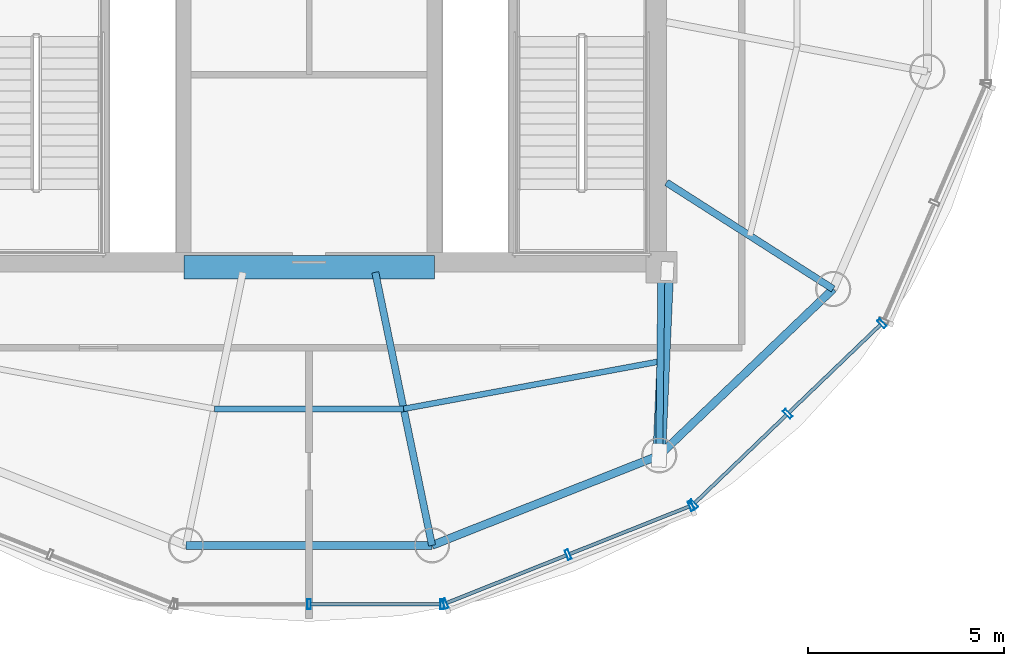
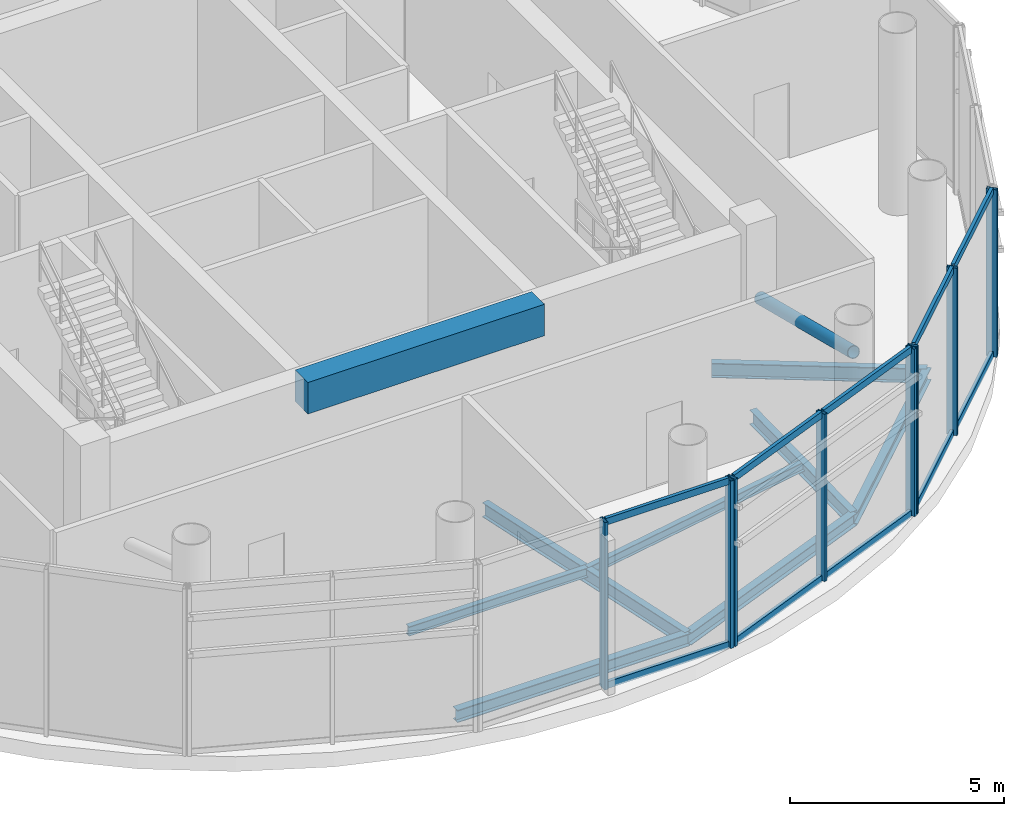
# One storey, part 4 of 15: 19 members, 9 beams, 3 elements without a shape of their own.
"""IFC4 building model written with IfcOpenShell, lengths in metres."""

from ifc_helpers import new_model, si_unit, direction, frame, origin, origin_2d, place, context, subcontext, project, spatial, rectangle, hollow_rectangle, hollow_circle, i_section, extrude, source, transform, mapped, material, material_profile, profile_set, type_object, element, aggregate, save


model = new_model("IFC4")

# Units and contexts
model_context = context("Model", 3, precision=1e-05, world=origin(), true_north=direction((-0.2419218956, 0.970295726276)))
body_context = subcontext(model_context, "Body", "Model", "MODEL_VIEW")
ifc_project = project(units=[si_unit("LENGTHUNIT", "METRE"), si_unit("AREAUNIT", "SQUARE_METRE"), si_unit("VOLUMEUNIT", "CUBIC_METRE"), si_unit("PLANEANGLEUNIT", "RADIAN"), si_unit("MASSUNIT", "GRAM", prefix="KILO")], contexts=[model_context])

# Site, building, storey
site_placement = place(None, origin())
site = spatial("IfcSite", under=ifc_project, at=site_placement, CompositionType="ELEMENT")
building_placement = place(site_placement, origin())
building = spatial("IfcBuilding", under=site, at=building_placement, Name="Cobrevalo Terracotta Tower", CompositionType="ELEMENT")
storey_placement = place(building_placement, frame((0.0, 0.0, 311.300048828125)))
storey = spatial("IfcBuildingStorey", under=building, at=storey_placement, Name="L81", CompositionType="ELEMENT", Elevation=311.300048828125)

# Beams
ifc_material_1 = material(Name="Concrete C60", Category="concrete")
ifc_material_profile_1 = material_profile(ifc_material_1, rectangle(XDim=0.60009765625, YDim=0.89990234375, at=origin_2d()), Name="RC CB 600x900")
ifc_profile_set_1 = profile_set([ifc_material_profile_1], Name="Concrete C60")
beam_type_1 = type_object("IfcBeamType", Name="Structural Beam RC CB 600x900 (Concrete C60)", PredefinedType="BEAM", material=ifc_profile_set_1)
beam_1_placement = place(storey_placement, frame((34.800048828125, 18.800048828125, 4.329833984375), z_axis=(1.0, 0.0, 0.0), x_axis=(0.0, 1.0, 0.0)))
element("IfcBeam", 1, at=beam_1_placement, inside=storey, type_object=beam_type_1, Name="L81 core coupling beam 1", PredefinedType="BEAM", context=body_context, shape_type="SweptSolid", body=[
    extrude(rectangle(XDim=0.60009765625, YDim=0.89990234375, at=origin_2d()), origin(), (0.0, 0.0, 1.0), 6.39990234375),
])
ifc_material_2 = material(Name="Steel S355", Category="steel")
ifc_material_profile_2 = material_profile(ifc_material_2, i_section(OverallWidth=0.179931640625, OverallDepth=0.4130859375, WebThickness=0.009765625, FlangeThickness=0.01611328125, at=origin_2d()), Name="W 410x75")
ifc_profile_set_2 = profile_set([ifc_material_profile_2], Name="Steel S355")
beam_type_2 = type_object("IfcBeamType", Name="Structural Beam W 410x75 (Steel S355)", PredefinedType="BEAM", material=ifc_profile_set_2)
beam_2_placement = place(storey_placement, frame((41.140869140625, 11.69580078125, -0.62646484375), z_axis=(-0.203584701476, 0.979057337098, 0.0), x_axis=(-0.979057337098, -0.203584701476, 0.0)))
element("IfcBeam", 2, at=beam_2_placement, inside=storey, type_object=beam_type_2, Name="L81 radial floor girder 13", PredefinedType="BEAM", context=body_context, shape_type="SweptSolid", body=[
    extrude(i_section(OverallWidth=0.179931640625, OverallDepth=0.4130859375, WebThickness=0.009765625, FlangeThickness=0.01611328125, at=origin_2d()), origin(), (0.0, 0.0, 1.0), 7.123291015625),
])
beam_3_placement = place(storey_placement, frame((46.944580078125, 13.995361328125, -0.62646484375), z_axis=(0.01153378561, 0.999933483683, 0.0), x_axis=(-0.999933483683, 0.01153378561, 0.0)))
element("IfcBeam", 3, at=beam_3_placement, inside=storey, type_object=beam_type_2, Name="L81 radial floor girder 14", PredefinedType="BEAM", context=body_context, shape_type="SweptSolid", body=[
    extrude(i_section(OverallWidth=0.179931640625, OverallDepth=0.4130859375, WebThickness=0.009765625, FlangeThickness=0.01611328125, at=origin_2d()), origin(), (0.0, 0.0, 1.0), 4.804931640625),
])
beam_4_placement = place(storey_placement, frame((51.38671875, 18.244140625, -0.62646484375), z_axis=(-0.84260123768, 0.538537978476, 0.0), x_axis=(-0.538537978476, -0.84260123768, 0.0)))
element("IfcBeam", 4, at=beam_4_placement, inside=storey, type_object=beam_type_2, Name="L81 radial floor girder 15", PredefinedType="BEAM", context=body_context, shape_type="SweptSolid", body=[
    extrude(i_section(OverallWidth=0.179931640625, OverallDepth=0.4130859375, WebThickness=0.009765625, FlangeThickness=0.01611328125, at=origin_2d()), origin(), (0.0, 0.0, 1.0), 5.052001953125),
])
ifc_material_profile_3 = material_profile(ifc_material_2, i_section(OverallWidth=0.14794921875, OverallDepth=0.26611328125, WebThickness=0.007568359375, FlangeThickness=0.012939453125, at=origin_2d()), Name="W 250x44.8")
ifc_profile_set_3 = profile_set([ifc_material_profile_3], Name="Steel S355")
beam_type_3 = type_object("IfcBeamType", Name="Structural Joist W 250x44.8 (Steel S355)", PredefinedType="JOIST", material=ifc_profile_set_3)
beam_5_placement = place(storey_placement, frame((35.584228515625, 15.182861328125, -0.552978515625), z_axis=(1.0, 0.0, 0.0), x_axis=(0.0, 1.0, 0.0)))
element("IfcBeam", 5, at=beam_5_placement, inside=storey, type_object=beam_type_3, Name="L81 circumferential secondary floor joist 12", PredefinedType="JOIST", context=body_context, shape_type="SweptSolid", body=[
    extrude(i_section(OverallWidth=0.14794921875, OverallDepth=0.26611328125, WebThickness=0.007568359375, FlangeThickness=0.012939453125, at=origin_2d()), origin(), (0.0, 0.0, 1.0), 4.83154296875),
])
beam_6_placement = place(storey_placement, frame((40.415771484375, 15.182861328125, -0.552978515625), z_axis=(0.983264519698, 0.182183655422, 0.0), x_axis=(-0.182183655422, 0.983264519698, 0.0)))
element("IfcBeam", 6, at=beam_6_placement, inside=storey, type_object=beam_type_3, Name="L81 circumferential secondary floor joist 13", PredefinedType="JOIST", context=body_context, shape_type="SweptSolid", body=[
    extrude(i_section(OverallWidth=0.14794921875, OverallDepth=0.26611328125, WebThickness=0.007568359375, FlangeThickness=0.012939453125, at=origin_2d()), origin(), (0.0, 0.0, 1.0), 6.668212890625),
])
ifc_material_profile_4 = material_profile(ifc_material_2, i_section(OverallWidth=0.205078125, OverallDepth=0.35400390625, WebThickness=0.009521484375, FlangeThickness=0.016845703125, at=origin_2d()), Name="W 360x79")
ifc_profile_set_4 = profile_set([ifc_material_profile_4], Name="Steel S355")
beam_type_4 = type_object("IfcBeamType", Name="Structural Spandrel W 360x79 (Steel S355)", PredefinedType="SPANDREL", material=ifc_profile_set_4)
beam_7_placement = place(storey_placement, frame((34.859130859375, 11.69580078125, -0.59716796875), z_axis=(1.0, 0.0, 0.0), x_axis=(0.0, 1.0, 0.0)))
element("IfcBeam", 7, at=beam_7_placement, inside=storey, type_object=beam_type_4, Name="L81 perimeter ring spandrel 12", PredefinedType="SPANDREL", context=body_context, shape_type="SweptSolid", body=[
    extrude(i_section(OverallWidth=0.205078125, OverallDepth=0.35400390625, WebThickness=0.009521484375, FlangeThickness=0.016845703125, at=origin_2d()), origin(), (0.0, 0.0, 1.0), 6.28173828125),
])
beam_8_placement = place(storey_placement, frame((41.140869140625, 11.69580078125, -0.59716796875), z_axis=(0.929682763959, 0.368361179275, 0.0), x_axis=(-0.368361179275, 0.929682763959, 0.0)))
element("IfcBeam", 8, at=beam_8_placement, inside=storey, type_object=beam_type_4, Name="L81 perimeter ring spandrel 13", PredefinedType="SPANDREL", context=body_context, shape_type="SweptSolid", body=[
    extrude(i_section(OverallWidth=0.205078125, OverallDepth=0.35400390625, WebThickness=0.009521484375, FlangeThickness=0.016845703125, at=origin_2d()), origin(), (0.0, 0.0, 1.0), 6.24267578125),
])
beam_9_placement = place(storey_placement, frame((46.944580078125, 13.995361328125, -0.59716796875), z_axis=(0.722659970904, 0.691203708362, 0.0), x_axis=(-0.691203708362, 0.722659970904, 0.0)))
element("IfcBeam", 9, at=beam_9_placement, inside=storey, type_object=beam_type_4, Name="L81 perimeter ring spandrel 14", PredefinedType="SPANDREL", context=body_context, shape_type="SweptSolid", body=[
    extrude(i_section(OverallWidth=0.205078125, OverallDepth=0.35400390625, WebThickness=0.009521484375, FlangeThickness=0.016845703125, at=origin_2d()), origin(), (0.0, 0.0, 1.0), 6.14697265625),
])

# Member
ifc_material_profile_5 = material_profile(ifc_material_2, hollow_circle(Radius=0.162109375, WallThickness=0.013916015625, at=origin_2d()), Name="CHS 324x14")
ifc_profile_set_5 = profile_set([ifc_material_profile_5], Name="Steel S355")
member_type_1 = type_object("IfcMemberType", Name="Steel Brace CHS 324x14 (Steel S355)", PredefinedType="BRACE", material=ifc_profile_set_5)
shared_shape_1 = source(origin(), body_context, "Body", "SweptSolid", [
    extrude(hollow_circle(Radius=0.162109375, WallThickness=0.013916015625, at=origin_2d()), origin(), (0.0, 0.0, 1.0), 4.906982421875),
])
member_1_placement = place(storey_placement, frame((47.14990234375, 18.699951171875, 2.75), z_axis=(-0.041842075868, -0.958735793071, 0.281202631159), x_axis=(0.999049003969, -0.043601464055, 0.0)))
element("IfcMember", 10, at=member_1_placement, inside=storey, type_object=member_type_1, Name="L81 CROWN FRAME radial brace 04", PredefinedType="BRACE", context=body_context, shape_type="MappedRepresentation", body=[
    mapped(shared_shape_1, transform((0.0, 0.0, 0.0), scale=1.0)),
])

# Curtain wall, members
ifc_material_3 = material(Name="Anodized aluminium", Category="aluminium")
curtain_wall_type = type_object("IfcCurtainWallType", Name="Faceted glass-point crown structural glazing system CW-CR", PredefinedType="NOTDEFINED", material=ifc_material_3)
curtain_wall_1_placement = place(storey_placement, origin())
curtain_wall_1 = element("IfcCurtainWall", 11, at=curtain_wall_1_placement, inside=storey, type_object=curtain_wall_type, Name="L81 curtain wall CW-CRN-L81-S14", PredefinedType="NOTDEFINED")
ifc_material_profile_6 = material_profile(ifc_material_3, hollow_rectangle(XDim=0.090087890625, YDim=0.195068359375, WallThickness=0.005615234375, at=origin_2d()), Name="CWT 90x195")
ifc_profile_set_6 = profile_set([ifc_material_profile_6], Name="Anodized aluminium")
member_type_2 = type_object("IfcMemberType", Name="Crown structural aluminium transom 90x195", PredefinedType="USERDEFINED", material=ifc_profile_set_6)
shared_shape_2 = source(origin(), body_context, "Body", "SweptSolid", [
    extrude(hollow_rectangle(XDim=0.090087890625, YDim=0.195068359375, WallThickness=0.005615234375, at=origin_2d()), origin(), (0.0, 0.0, 1.0), 3.251953125),
])
member_2_placement = place(storey_placement, frame((47.852294921875, 12.778564453125, 0.050048828125), z_axis=(0.721300303297, 0.692622460265, 0.0), x_axis=(-0.692622460265, 0.721300303297, 0.0)))
member_2 = element("IfcMember", 12, at=member_2_placement, type_object=member_type_2, Name="CW-CRN-L81-S14 transom B01-T1", ObjectType="TRANSOM", PredefinedType="USERDEFINED", context=body_context, shape_type="MappedRepresentation", body=[
    mapped(shared_shape_2, transform((0.0, 0.0, 0.0), scale=1.0)),
])
member_3_placement = place(storey_placement, frame((47.852294921875, 12.778564453125, 4.72998046875), z_axis=(0.721300303297, 0.692622460265, 0.0), x_axis=(-0.692622460265, 0.721300303297, 0.0)))
member_3 = element("IfcMember", 13, at=member_3_placement, type_object=member_type_2, Name="CW-CRN-L81-S14 transom B01-T2", ObjectType="TRANSOM", PredefinedType="USERDEFINED", context=body_context, shape_type="MappedRepresentation", body=[
    mapped(shared_shape_2, transform((0.0, 0.0, 0.0), scale=1.0)),
])
member_4_placement = place(storey_placement, frame((50.255615234375, 15.08642578125, 0.050048828125), z_axis=(0.721264285966, 0.692659966932, 0.0), x_axis=(-0.692659966932, 0.721264285966, 0.0)))
member_4 = element("IfcMember", 14, at=member_4_placement, type_object=member_type_2, Name="CW-CRN-L81-S14 transom B02-T1", ObjectType="TRANSOM", PredefinedType="USERDEFINED", context=body_context, shape_type="MappedRepresentation", body=[
    mapped(shared_shape_2, transform((0.0, 0.0, 0.0), scale=1.0)),
])
member_5_placement = place(storey_placement, frame((50.255615234375, 15.08642578125, 4.72998046875), z_axis=(0.721264285966, 0.692659966932, 0.0), x_axis=(-0.692659966932, 0.721264285966, 0.0)))
member_5 = element("IfcMember", 15, at=member_5_placement, type_object=member_type_2, Name="CW-CRN-L81-S14 transom B02-T2", ObjectType="TRANSOM", PredefinedType="USERDEFINED", context=body_context, shape_type="MappedRepresentation", body=[
    mapped(shared_shape_2, transform((0.0, 0.0, 0.0), scale=1.0)),
])

curtain_wall_2_placement = place(storey_placement, origin())
curtain_wall_2 = element("IfcCurtainWall", 16, at=curtain_wall_2_placement, inside=storey, type_object=curtain_wall_type, Name="L81 curtain wall CW-CRN-L81-S13", PredefinedType="NOTDEFINED")
shared_shape_3 = source(origin(), body_context, "Body", "SweptSolid", [
    extrude(hollow_rectangle(XDim=0.090087890625, YDim=0.195068359375, WallThickness=0.005615234375, at=origin_2d()), origin(), (0.0, 0.0, 1.0), 3.2998046875),
])
member_6_placement = place(storey_placement, frame((41.513671875, 10.224853515625, 0.050048828125), z_axis=(0.92917915641, 0.369629673177, 0.0), x_axis=(-0.369629673177, 0.92917915641, 0.0)))
member_6 = element("IfcMember", 17, at=member_6_placement, type_object=member_type_2, Name="CW-CRN-L81-S13 transom B01-T1", ObjectType="TRANSOM", PredefinedType="USERDEFINED", context=body_context, shape_type="MappedRepresentation", body=[
    mapped(shared_shape_3, transform((0.0, 0.0, 0.0), scale=1.0)),
])
member_7_placement = place(storey_placement, frame((41.513671875, 10.224853515625, 4.72998046875), z_axis=(0.92917915641, 0.369629673177, 0.0), x_axis=(-0.369629673177, 0.92917915641, 0.0)))
member_7 = element("IfcMember", 18, at=member_7_placement, type_object=member_type_2, Name="CW-CRN-L81-S13 transom B01-T2", ObjectType="TRANSOM", PredefinedType="USERDEFINED", context=body_context, shape_type="MappedRepresentation", body=[
    mapped(shared_shape_3, transform((0.0, 0.0, 0.0), scale=1.0)),
])
member_8_placement = place(storey_placement, frame((44.654296875, 11.47412109375, 0.050048828125), z_axis=(0.929204565262, 0.369565793732, 0.0), x_axis=(-0.369565793732, 0.929204565262, 0.0)))
member_8 = element("IfcMember", 19, at=member_8_placement, type_object=member_type_2, Name="CW-CRN-L81-S13 transom B02-T1", ObjectType="TRANSOM", PredefinedType="USERDEFINED", context=body_context, shape_type="MappedRepresentation", body=[
    mapped(shared_shape_3, transform((0.0, 0.0, 0.0), scale=1.0)),
])
member_9_placement = place(storey_placement, frame((44.654296875, 11.47412109375, 4.72998046875), z_axis=(0.929204565262, 0.369565793732, 0.0), x_axis=(-0.369565793732, 0.929204565262, 0.0)))
member_9 = element("IfcMember", 20, at=member_9_placement, type_object=member_type_2, Name="CW-CRN-L81-S13 transom B02-T2", ObjectType="TRANSOM", PredefinedType="USERDEFINED", context=body_context, shape_type="MappedRepresentation", body=[
    mapped(shared_shape_3, transform((0.0, 0.0, 0.0), scale=1.0)),
])

curtain_wall_3_placement = place(storey_placement, origin())
curtain_wall_3 = element("IfcCurtainWall", 21, at=curtain_wall_3_placement, inside=storey, type_object=curtain_wall_type, Name="L81 curtain wall CW-CRN-L81-S12", PredefinedType="NOTDEFINED")
shared_shape_4 = source(origin(), body_context, "Body", "SweptSolid", [
    extrude(hollow_rectangle(XDim=0.090087890625, YDim=0.195068359375, WallThickness=0.005615234375, at=origin_2d()), origin(), (0.0, 0.0, 1.0), 3.3193359375),
])
member_10_placement = place(storey_placement, frame((38.0400390625, 10.1953125, 0.050048828125), z_axis=(1.0, 0.0, 0.0), x_axis=(0.0, 1.0, 0.0)))
member_10 = element("IfcMember", 22, at=member_10_placement, type_object=member_type_2, Name="CW-CRN-L81-S12 transom B02-T1", ObjectType="TRANSOM", PredefinedType="USERDEFINED", context=body_context, shape_type="MappedRepresentation", body=[
    mapped(shared_shape_4, transform((0.0, 0.0, 0.0), scale=1.0)),
])
member_11_placement = place(storey_placement, frame((38.0400390625, 10.1953125, 4.72998046875), z_axis=(1.0, 0.0, 0.0), x_axis=(0.0, 1.0, 0.0)))
member_11 = element("IfcMember", 23, at=member_11_placement, type_object=member_type_2, Name="CW-CRN-L81-S12 transom B02-T2", ObjectType="TRANSOM", PredefinedType="USERDEFINED", context=body_context, shape_type="MappedRepresentation", body=[
    mapped(shared_shape_4, transform((0.0, 0.0, 0.0), scale=1.0)),
])
ifc_material_profile_7 = material_profile(ifc_material_3, hollow_rectangle(XDim=0.090087890625, YDim=0.260009765625, WallThickness=0.006103515625, at=origin_2d()), Name="CWM 90x260")
ifc_profile_set_7 = profile_set([ifc_material_profile_7], Name="Anodized aluminium")
member_type_3 = type_object("IfcMemberType", Name="Crown structural glass mullion 90x260", PredefinedType="MULLION", material=ifc_profile_set_7)
shared_shape_5 = source(origin(), body_context, "Body", "SweptSolid", [
    extrude(hollow_rectangle(XDim=0.090087890625, YDim=0.260009765625, WallThickness=0.006103515625, at=origin_2d()), origin(), (0.0, 0.0, 1.0), 4.780029296875),
])
member_12_placement = place(storey_placement, frame((38.0, 10.1953125, 0.0), z_axis=(0.0, 0.0, 1.0), x_axis=(1.0, 0.0, 0.0)))
member_12 = element("IfcMember", 24, at=member_12_placement, type_object=member_type_3, Name="CW-CRN-L81-S12 vertical mullion 02", PredefinedType="MULLION", context=body_context, shape_type="MappedRepresentation", body=[
    mapped(shared_shape_5, transform((0.0, 0.0, 0.0), scale=1.0)),
])
member_13_placement = place(storey_placement, frame((41.3994140625, 10.1953125, 0.0), z_axis=(0.0, 0.0, 1.0), x_axis=(1.0, 0.0, 0.0)))
member_13 = element("IfcMember", 25, at=member_13_placement, type_object=member_type_3, Name="CW-CRN-L81-S12 vertical mullion 03", PredefinedType="MULLION", context=body_context, shape_type="MappedRepresentation", body=[
    mapped(shared_shape_5, transform((0.0, 0.0, 0.0), scale=1.0)),
])
aggregate(curtain_wall_3, [member_12, member_13, member_10, member_11])

# Member
member_14_placement = place(storey_placement, frame((41.4765625, 10.210205078125, 0.0), z_axis=(0.0, 0.0, 1.0), x_axis=(0.929190639756, 0.36960080491, 0.0)))
member_14 = element("IfcMember", 26, at=member_14_placement, type_object=member_type_3, Name="CW-CRN-L81-S13 vertical mullion 01", PredefinedType="MULLION", context=body_context, shape_type="MappedRepresentation", body=[
    mapped(shared_shape_5, transform((0.0, 0.0, 0.0), scale=1.0)),
])

member_15_placement = place(storey_placement, frame((44.6171875, 11.459228515625, 0.0), z_axis=(0.0, 0.0, 1.0), x_axis=(0.929190639756, 0.36960080491, 0.0)))
member_15 = element("IfcMember", 27, at=member_15_placement, type_object=member_type_3, Name="CW-CRN-L81-S13 vertical mullion 02", PredefinedType="MULLION", context=body_context, shape_type="MappedRepresentation", body=[
    mapped(shared_shape_5, transform((0.0, 0.0, 0.0), scale=1.0)),
])

member_16_placement = place(storey_placement, frame((47.757568359375, 12.70849609375, 0.0), z_axis=(0.0, 0.0, 1.0), x_axis=(0.929190639756, 0.36960080491, 0.0)))
member_16 = element("IfcMember", 28, at=member_16_placement, type_object=member_type_3, Name="CW-CRN-L81-S13 vertical mullion 03", PredefinedType="MULLION", context=body_context, shape_type="MappedRepresentation", body=[
    mapped(shared_shape_5, transform((0.0, 0.0, 0.0), scale=1.0)),
])

aggregate(curtain_wall_2, [member_14, member_15, member_16, member_6, member_7, member_8, member_9])

member_17_placement = place(storey_placement, frame((47.823486328125, 12.7509765625, 0.0), z_axis=(0.0, 0.0, 1.0), x_axis=(0.721276845158, 0.692646888854, 0.0)))
member_17 = element("IfcMember", 29, at=member_17_placement, type_object=member_type_3, Name="CW-CRN-L81-S14 vertical mullion 01", PredefinedType="MULLION", context=body_context, shape_type="MappedRepresentation", body=[
    mapped(shared_shape_5, transform((0.0, 0.0, 0.0), scale=1.0)),
])

member_18_placement = place(storey_placement, frame((50.226806640625, 15.05859375, 0.0), z_axis=(0.0, 0.0, 1.0), x_axis=(0.721276845158, 0.692646888854, 0.0)))
member_18 = element("IfcMember", 30, at=member_18_placement, type_object=member_type_3, Name="CW-CRN-L81-S14 vertical mullion 02", PredefinedType="MULLION", context=body_context, shape_type="MappedRepresentation", body=[
    mapped(shared_shape_5, transform((0.0, 0.0, 0.0), scale=1.0)),
])

member_19_placement = place(storey_placement, frame((52.6298828125, 17.366455078125, 0.0), z_axis=(0.0, 0.0, 1.0), x_axis=(0.721276845158, 0.692646888854, 0.0)))
member_19 = element("IfcMember", 31, at=member_19_placement, type_object=member_type_3, Name="CW-CRN-L81-S14 vertical mullion 03", PredefinedType="MULLION", context=body_context, shape_type="MappedRepresentation", body=[
    mapped(shared_shape_5, transform((0.0, 0.0, 0.0), scale=1.0)),
])

aggregate(curtain_wall_1, [member_17, member_18, member_19, member_2, member_3, member_4, member_5])

save(model, "model.ifc")
